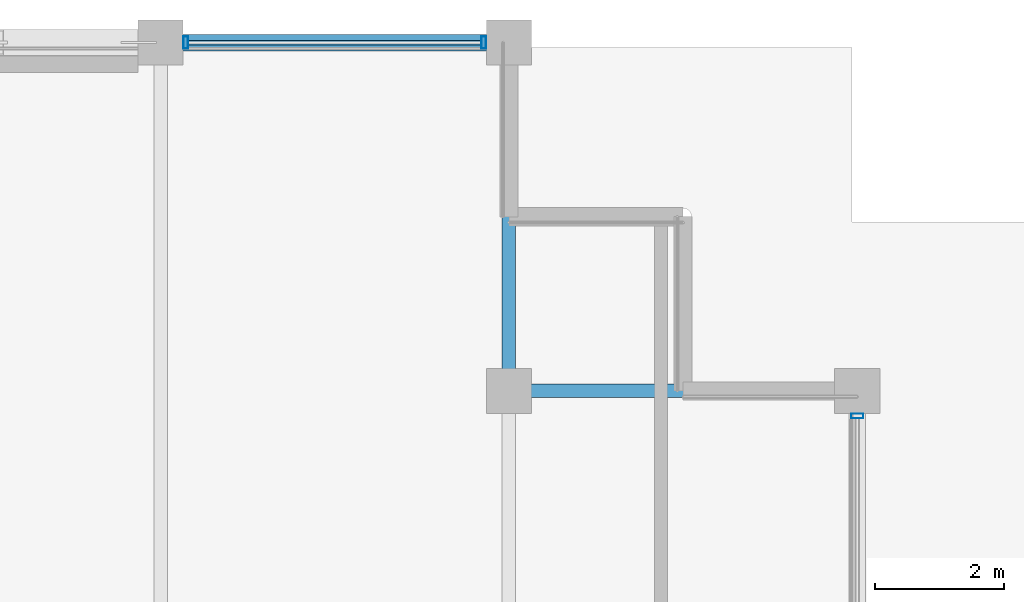
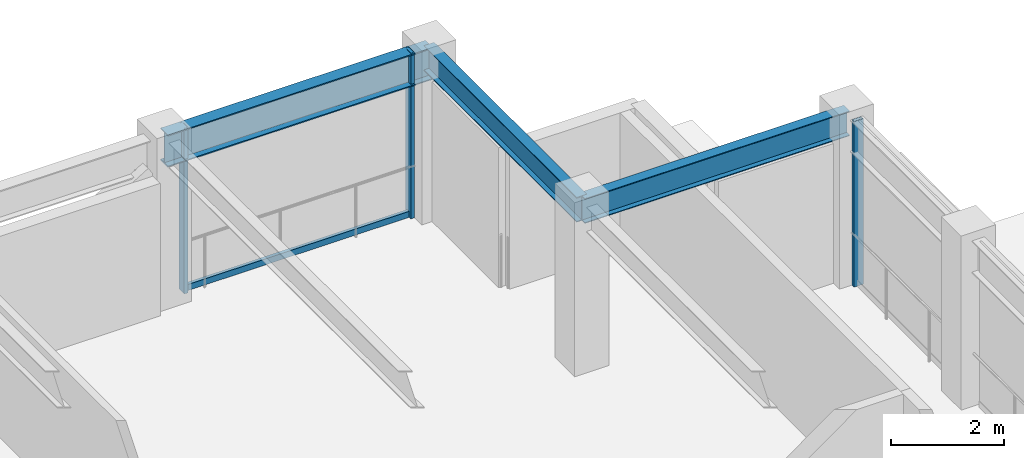
# One storey, part 22 of 34: 4 members, 3 beams, 2 elements without a shape of their own.
"""IFC4 building model written with IfcOpenShell, lengths in metres."""

from ifc_helpers import new_model, si_unit, direction, frame, origin, origin_2d, place, context, subcontext, project, spatial, hollow_rectangle, i_section, extrude, material, layer, layer_set, material_profile, profile_set, type_object, element, aggregate, save


model = new_model("IFC4")

# Units and contexts
model_context = context("Model", 3, precision=1e-05, world=origin(), true_north=direction((0.0, 1.0)))
body_context = subcontext(model_context, "Body", "Model", "MODEL_VIEW")
ifc_project = project(units=[si_unit("LENGTHUNIT", "METRE"), si_unit("AREAUNIT", "SQUARE_METRE"), si_unit("VOLUMEUNIT", "CUBIC_METRE"), si_unit("PLANEANGLEUNIT", "RADIAN"), si_unit("MASSUNIT", "GRAM", prefix="KILO")], contexts=[model_context])

# Site, building, storey
site_placement = place(None, origin())
site = spatial("IfcSite", under=ifc_project, at=site_placement, CompositionType="ELEMENT")
building_placement = place(site_placement, origin())
building = spatial("IfcBuilding", under=site, at=building_placement, Name="Surkhivell Harbour Commons", CompositionType="ELEMENT")
storey_placement = place(building_placement, frame((0.0, 0.0, 258.75)))
storey = spatial("IfcBuildingStorey", under=building, at=storey_placement, Name="L67", CompositionType="ELEMENT", Elevation=258.75)

# Beams
ifc_material_1 = material(Name="Steel S355", Category="steel")
ifc_material_profile_1 = material_profile(ifc_material_1, i_section(OverallWidth=0.2099609375, OverallDepth=0.537109375, WebThickness=0.0107421875, FlangeThickness=0.017333984375, at=origin_2d()), Name="UB533x210x101")
ifc_profile_set_1 = profile_set([ifc_material_profile_1], Name="Steel S355")
beam_type_1 = type_object("IfcBeamType", Name="BM-GRD-533B", PredefinedType="BEAM", material=ifc_profile_set_1)
for number, where, z_axis, x_axis, name in (
    (1, (10.800048828125, 20.5, 3.301513671875), (0.0, 1.0, 0.0), (-1.0, 0.0, 0.0), "L67 Floor Girder (10.8,20.5)"),
    (2, (10.800048828125, 20.5, 3.301513671875), (1.0, 0.0, 0.0), (0.0, 1.0, 0.0), "L67 Floor Girder (10.8,20.5)"),
):
    element("IfcBeam", number, at=place(storey_placement, frame(where, z_axis=z_axis, x_axis=x_axis)), inside=storey, type_object=beam_type_1, Name=name, PredefinedType="BEAM", context=body_context, shape_type="SweptSolid", body=[
        extrude(i_section(OverallWidth=0.2099609375, OverallDepth=0.537109375, WebThickness=0.0107421875, FlangeThickness=0.017333984375, at=origin_2d()), origin(), (0.0, 0.0, 1.0), 5.39990234375),
    ])
ifc_material_profile_2 = material_profile(ifc_material_1, i_section(OverallWidth=0.256103515625, OverallDepth=0.693115234375, WebThickness=0.014404296875, FlangeThickness=0.023681640625, at=origin_2d()), Name="UB686x254x170")
ifc_profile_set_2 = profile_set([ifc_material_profile_2], Name="Steel S355")
beam_type_2 = type_object("IfcBeamType", Name="BM-SPN-686", PredefinedType="SPANDREL", material=ifc_profile_set_2)
beam_placement = place(storey_placement, frame((5.39990234375, 25.89990234375, 3.223388671875), z_axis=(1.0, 0.0, 0.0), x_axis=(0.0, 1.0, 0.0)))
element("IfcBeam", 3, at=beam_placement, inside=storey, type_object=beam_type_2, Name="L67 Tube Spandrel (5.4,25.9)", PredefinedType="SPANDREL", context=body_context, shape_type="SweptSolid", body=[
    extrude(i_section(OverallWidth=0.256103515625, OverallDepth=0.693115234375, WebThickness=0.014404296875, FlangeThickness=0.023681640625, at=origin_2d()), origin(), (0.0, 0.0, 1.0), 5.400146484375),
])

# Curtain wall, member
ifc_material_2 = material(Name="Anodised pale-metal aluminium and insulated glazing", Category="aluminium")
ifc_layer = layer(ifc_material_2, 0.175048828125)
ifc_layer_set = layer_set([ifc_layer], Name="Anodised pale-metal aluminium and insulated glazing")
curtain_wall_type = type_object("IfcCurtainWallType", Name="CW-SYS-Z4", PredefinedType="NOTDEFINED", material=ifc_layer_set)
curtain_wall_1_placement = place(storey_placement, origin())
curtain_wall_1 = element("IfcCurtainWall", 4, at=curtain_wall_1_placement, inside=storey, type_object=curtain_wall_type, Name="L67 Curtain Wall CW-L67-E02B", PredefinedType="NOTDEFINED")
ifc_material_3 = material(Name="Anodised pale-metal aluminium alloy 6063-T6", Category="aluminium")
ifc_material_profile_3 = material_profile(ifc_material_3, hollow_rectangle(XDim=0.074951171875, YDim=0.18994140625, WallThickness=0.00390625, at=origin_2d()), Name="ALU-MULL-75x190")
ifc_profile_set_3 = profile_set([ifc_material_profile_3], Name="Anodised pale-metal aluminium alloy 6063-T6")
member_type_1 = type_object("IfcMemberType", Name="CWM-190", PredefinedType="MULLION", material=ifc_profile_set_3)
member_1_placement = place(storey_placement, frame((16.199951171875, 20.110595703125, 0.0), z_axis=(0.0, 0.0, 1.0), x_axis=(0.0, 1.0, 0.0)))
member_1 = element("IfcMember", 5, at=member_1_placement, type_object=member_type_1, Name="CW-Z4 mullion 4", PredefinedType="MULLION", context=body_context, shape_type="SweptSolid", body=[
    extrude(hollow_rectangle(XDim=0.074951171875, YDim=0.18994140625, WallThickness=0.00390625, at=origin_2d()), origin(), (0.0, 0.0, 1.0), 3.570068359375),
])
aggregate(curtain_wall_1, [member_1])

# Curtain wall, members
curtain_wall_2_placement = place(storey_placement, origin())
curtain_wall_2 = element("IfcCurtainWall", 6, at=curtain_wall_2_placement, inside=storey, type_object=curtain_wall_type, Name="L67 Curtain Wall CW-L67-E07S1", PredefinedType="NOTDEFINED")
member_2_placement = place(storey_placement, frame((10.410400390625, 25.89990234375, 0.0), z_axis=(0.0, 0.0, 1.0), x_axis=(-1.0, 0.0, 0.0)))
member_2 = element("IfcMember", 7, at=member_2_placement, type_object=member_type_1, Name="CW-Z4 mullion 1", PredefinedType="MULLION", context=body_context, shape_type="SweptSolid", body=[
    extrude(hollow_rectangle(XDim=0.074951171875, YDim=0.18994140625, WallThickness=0.00390625, at=origin_2d()), origin(), (0.0, 0.0, 1.0), 3.570068359375),
])
member_3_placement = place(storey_placement, frame((5.78955078125, 25.89990234375, 0.0), z_axis=(0.0, 0.0, 1.0), x_axis=(-1.0, 0.0, 0.0)))
member_3 = element("IfcMember", 8, at=member_3_placement, type_object=member_type_1, Name="CW-Z4 mullion 2", PredefinedType="MULLION", context=body_context, shape_type="SweptSolid", body=[
    extrude(hollow_rectangle(XDim=0.074951171875, YDim=0.18994140625, WallThickness=0.00390625, at=origin_2d()), origin(), (0.0, 0.0, 1.0), 3.570068359375),
])
ifc_material_4 = material(Name="Champagne anodised aluminium alloy 6063-T6", Category="aluminium")
ifc_material_profile_4 = material_profile(ifc_material_4, hollow_rectangle(XDim=0.070068359375, YDim=0.1298828125, WallThickness=0.00341796875, at=origin_2d()), Name="ALU-TRAN-70x130")
ifc_profile_set_4 = profile_set([ifc_material_profile_4], Name="Champagne anodised aluminium alloy 6063-T6")
member_type_2 = type_object("IfcMemberType", Name="CWT-130", PredefinedType="USERDEFINED", material=ifc_profile_set_4)
member_4_placement = place(storey_placement, frame((10.373046875, 25.89990234375, 0.06494140625), z_axis=(-1.0, 0.0, 0.0), x_axis=(0.0, -1.0, 0.0)))
member_4 = element("IfcMember", 9, at=member_4_placement, type_object=member_type_2, Name="CW-Z4 transom 1.1", ObjectType="TRANSOM", PredefinedType="USERDEFINED", context=body_context, shape_type="SweptSolid", body=[
    extrude(hollow_rectangle(XDim=0.070068359375, YDim=0.1298828125, WallThickness=0.00341796875, at=origin_2d()), origin(), (0.0, 0.0, 1.0), 4.546142578125),
])
aggregate(curtain_wall_2, [member_2, member_3, member_4])

save(model, "model.ifc")
